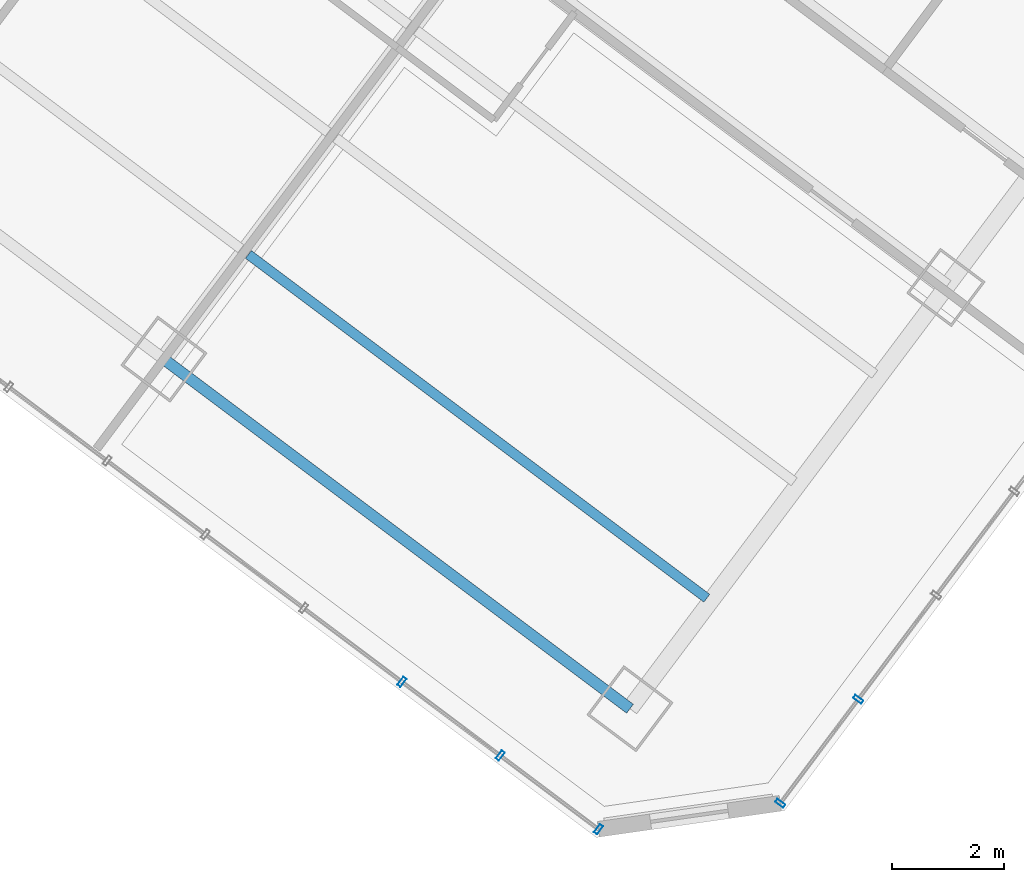
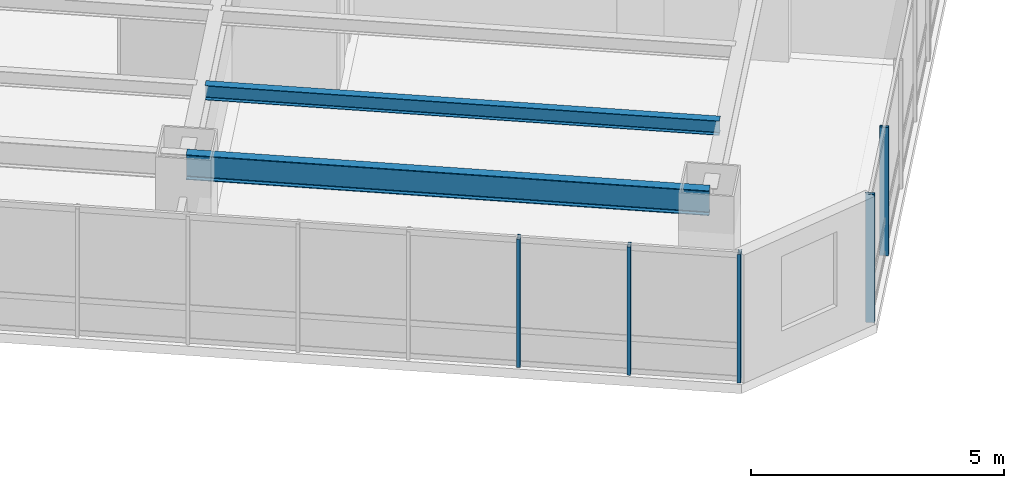
# One storey, part 13 of 39: 5 members, 2 beams, 2 elements without a shape of their own.
"""IFC4 building model written with IfcOpenShell, lengths in metres."""

from ifc_helpers import new_model, si_unit, direction, frame, origin, origin_2d, place, context, subcontext, project, spatial, hollow_rectangle, i_section, extrude, material, layer, layer_set, material_profile, profile_set, type_object, element, aggregate, save


model = new_model("IFC4")

# Units and contexts
model_context = context("Model", 3, precision=1e-05, world=origin(), true_north=direction((0.0, 1.0)))
body_context = subcontext(model_context, "Body", "Model", "MODEL_VIEW")
ifc_project = project(units=[si_unit("LENGTHUNIT", "METRE"), si_unit("AREAUNIT", "SQUARE_METRE"), si_unit("VOLUMEUNIT", "CUBIC_METRE"), si_unit("PLANEANGLEUNIT", "RADIAN"), si_unit("MASSUNIT", "GRAM", prefix="KILO")], contexts=[model_context])

# Site, building, storey
site_placement = place(None, origin())
site = spatial("IfcSite", under=ifc_project, at=site_placement, CompositionType="ELEMENT")
building_placement = place(site_placement, origin())
building = spatial("IfcBuilding", under=site, at=building_placement, Name="Hatsunagi Terrace Concourse", CompositionType="ELEMENT")
storey_placement = place(building_placement, frame((0.0, 0.0, 66.75)))
storey = spatial("IfcBuildingStorey", under=building, at=storey_placement, Name="L17", CompositionType="ELEMENT", Elevation=66.75)

# Curtain wall, members
ifc_material_1 = material(Name="Anodised Aluminium Alloy 6063-T5", Category="aluminium")
ifc_layer = layer(ifc_material_1, 0.199951171875)
ifc_layer_set = layer_set([ifc_layer], Name="HotelFacade_CW02")
curtain_wall_type = type_object("IfcCurtainWallType", Name="HotelFacade_CW02", PredefinedType="NOTDEFINED", material=ifc_layer_set)
curtain_wall_1_placement = place(storey_placement, origin())
curtain_wall_1 = element("IfcCurtainWall", 1, at=curtain_wall_1_placement, inside=storey, type_object=curtain_wall_type, Name="Unitised Curtain Wall CW-02 CW-L17-03", PredefinedType="NOTDEFINED")
ifc_material_2 = material(Name="Anodised Aluminium Alloy 6063-T5", Category="aluminium")
ifc_material_profile_1 = material_profile(ifc_material_2, hollow_rectangle(XDim=0.070068359375, YDim=0.179931640625, WallThickness=0.00390625, at=origin_2d()), Name="ALU-MUL-180x70x4")
ifc_profile_set_1 = profile_set([ifc_material_profile_1], Name="Anodised Aluminium Alloy 6063-T5")
member_type = type_object("IfcMemberType", Name="CurtainWallMullion_180x70", PredefinedType="MULLION", material=ifc_profile_set_1)
member_1_placement = place(storey_placement, frame((57.955078125, 4.805908203125, 0.0), z_axis=(0.0, 0.0, 1.0), x_axis=(-0.599969314634, -0.800023013105, 0.0)))
member_1 = element("IfcMember", 2, at=member_1_placement, type_object=member_type, Name="Curtain Wall Mullion MUL-02", PredefinedType="MULLION", context=body_context, shape_type="SweptSolid", body=[
    extrude(hollow_rectangle(XDim=0.070068359375, YDim=0.179931640625, WallThickness=0.00390625, at=origin_2d()), origin(), (0.0, 0.0, 1.0), 3.090087890625),
])
member_2_placement = place(storey_placement, frame((56.56298828125, 2.949951171875, 0.0), z_axis=(0.0, 0.0, 1.0), x_axis=(-0.599969314634, -0.800023013105, 0.0)))
member_2 = element("IfcMember", 3, at=member_2_placement, type_object=member_type, Name="Curtain Wall Mullion MUL-02", PredefinedType="MULLION", context=body_context, shape_type="SweptSolid", body=[
    extrude(hollow_rectangle(XDim=0.070068359375, YDim=0.179931640625, WallThickness=0.00390625, at=origin_2d()), origin(), (0.0, 0.0, 1.0), 3.090087890625),
])
aggregate(curtain_wall_1, [member_1, member_2])

curtain_wall_2_placement = place(storey_placement, origin())
curtain_wall_2 = element("IfcCurtainWall", 4, at=curtain_wall_2_placement, inside=storey, type_object=curtain_wall_type, Name="Unitised Curtain Wall CW-02 CW-L17-05", PredefinedType="NOTDEFINED")
member_3_placement = place(storey_placement, frame((53.318115234375, 2.487060546875, 0.0), z_axis=(0.0, 0.0, 1.0), x_axis=(-0.800003116929, 0.599995844072, 0.0)))
member_3 = element("IfcMember", 5, at=member_3_placement, type_object=member_type, Name="Curtain Wall Mullion MUL-02", PredefinedType="MULLION", context=body_context, shape_type="SweptSolid", body=[
    extrude(hollow_rectangle(XDim=0.070068359375, YDim=0.179931640625, WallThickness=0.00390625, at=origin_2d()), origin(), (0.0, 0.0, 1.0), 3.090087890625),
])
member_4_placement = place(storey_placement, frame((51.56396484375, 3.802978515625, 0.0), z_axis=(0.0, 0.0, 1.0), x_axis=(-0.800003116929, 0.599995844072, 0.0)))
member_4 = element("IfcMember", 6, at=member_4_placement, type_object=member_type, Name="Curtain Wall Mullion MUL-02", PredefinedType="MULLION", context=body_context, shape_type="SweptSolid", body=[
    extrude(hollow_rectangle(XDim=0.070068359375, YDim=0.179931640625, WallThickness=0.00390625, at=origin_2d()), origin(), (0.0, 0.0, 1.0), 3.090087890625),
])
member_5_placement = place(storey_placement, frame((49.80908203125, 5.118896484375, 0.0), z_axis=(0.0, 0.0, 1.0), x_axis=(-0.800003116929, 0.599995844072, 0.0)))
member_5 = element("IfcMember", 7, at=member_5_placement, type_object=member_type, Name="Curtain Wall Mullion MUL-02", PredefinedType="MULLION", context=body_context, shape_type="SweptSolid", body=[
    extrude(hollow_rectangle(XDim=0.070068359375, YDim=0.179931640625, WallThickness=0.00390625, at=origin_2d()), origin(), (0.0, 0.0, 1.0), 3.090087890625),
])
aggregate(curtain_wall_2, [member_3, member_4, member_5])

# Beams
ifc_material_3 = material(Name="Steel SN490B", Category="steel")
ifc_material_profile_2 = material_profile(ifc_material_3, i_section(OverallWidth=0.175048828125, OverallDepth=0.35009765625, WebThickness=0.007080078125, FlangeThickness=0.010986328125, FilletRadius=0.012939453125, at=origin_2d()), Name="H-350x175x7x11")
ifc_profile_set_2 = profile_set([ifc_material_profile_2], Name="Steel SN490B")
beam_type_1 = type_object("IfcBeamType", Name="HotelJoist_H_350x175", PredefinedType="JOIST", material=ifc_profile_set_2)
beam_1_placement = place(storey_placement, frame((47.068115234375, 12.7490234375, 2.955078125), z_axis=(0.799997136125, -0.600003818481, 0.0), x_axis=(0.600003818481, 0.799997136125, 0.0)))
element("IfcBeam", 8, at=beam_1_placement, inside=storey, type_object=beam_type_1, Name="Beam J-02 J-L17-SE-3-46", PredefinedType="JOIST", context=body_context, shape_type="SweptSolid", body=[
    extrude(i_section(OverallWidth=0.175048828125, OverallDepth=0.35009765625, WebThickness=0.007080078125, FlangeThickness=0.010986328125, FilletRadius=0.012939453125, at=origin_2d()), origin(), (0.0, 0.0, 1.0), 10.229736328125),
])
ifc_material_4 = material(Name="Steel SN490B", Category="steel")
ifc_material_profile_3 = material_profile(ifc_material_4, i_section(OverallWidth=0.199951171875, OverallDepth=0.60009765625, WebThickness=0.010986328125, FlangeThickness=0.01708984375, FilletRadius=0.01806640625, at=origin_2d()), Name="H-600x200x11x17")
ifc_profile_set_3 = profile_set([ifc_material_profile_3], Name="Steel SN490B")
beam_type_2 = type_object("IfcBeamType", Name="PerimeterSpandrel_H_600x200", PredefinedType="SPANDREL", material=ifc_profile_set_3)
beam_2_placement = place(storey_placement, frame((45.56005859375, 10.8798828125, 2.830078125), z_axis=(0.799994365871, -0.600007512099, 0.0), x_axis=(0.600007512099, 0.799994365871, 0.0)))
element("IfcBeam", 9, at=beam_2_placement, inside=storey, type_object=beam_type_2, Name="Beam SP-01 BM-L17-SE-SW3", PredefinedType="SPANDREL", context=body_context, shape_type="SweptSolid", body=[
    extrude(i_section(OverallWidth=0.199951171875, OverallDepth=0.60009765625, WebThickness=0.010986328125, FlangeThickness=0.01708984375, FilletRadius=0.01806640625, at=origin_2d()), origin(), (0.0, 0.0, 1.0), 10.39990234375),
])

save(model, "model.ifc")
